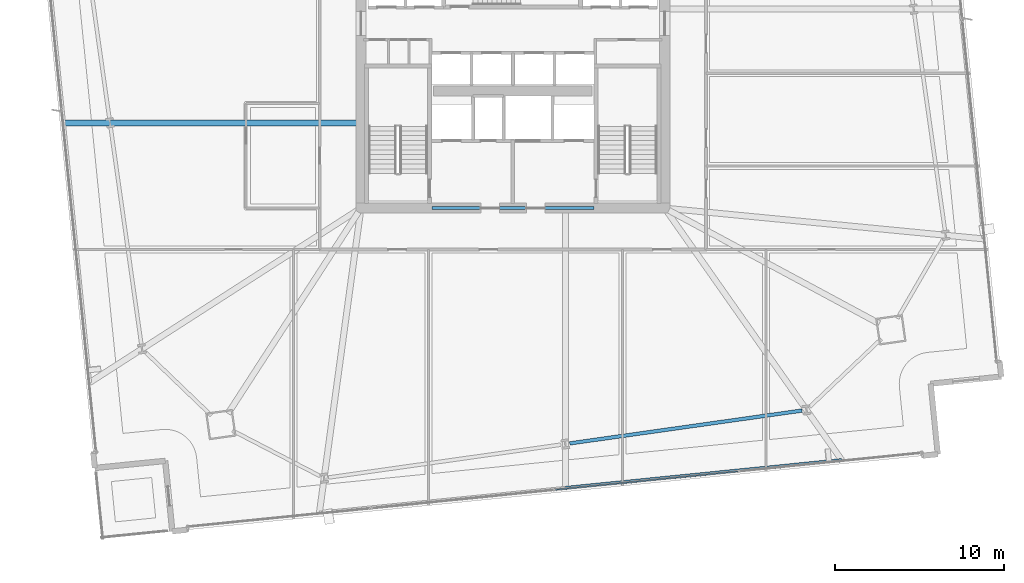
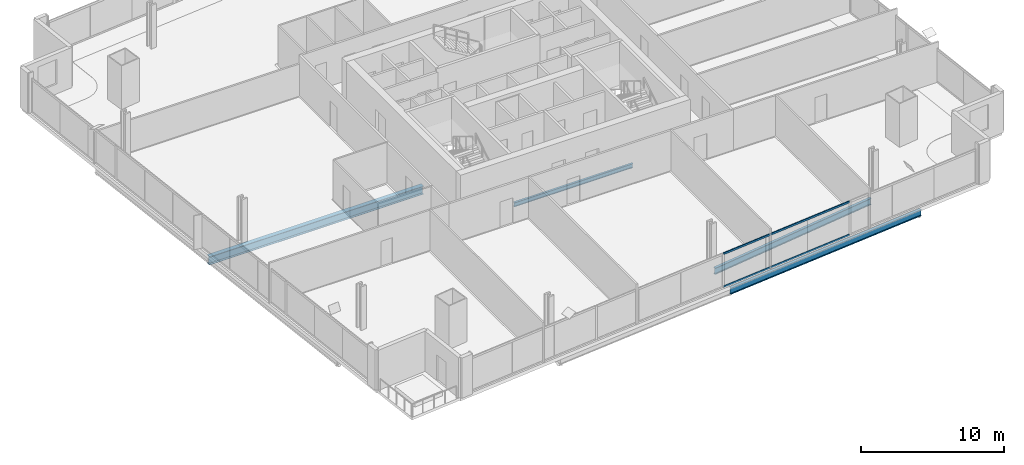
# One storey, part 8 of 33: 4 beams, 2 members, 1 element without a shape of its own.
"""IFC4 building model written with IfcOpenShell, lengths in metres."""

from ifc_helpers import new_model, si_unit, direction, frame, origin, origin_2d, place, context, subcontext, project, spatial, hollow_rectangle, i_section, extrude, material, material_profile, profile_set, type_object, element, aggregate, save


model = new_model("IFC4")

# Units and contexts
model_context = context("Model", 3, precision=1e-05, world=origin(), true_north=direction((0.0, 1.0)))
body_context = subcontext(model_context, "Body", "Model", "MODEL_VIEW")
ifc_project = project(units=[si_unit("LENGTHUNIT", "METRE"), si_unit("AREAUNIT", "SQUARE_METRE"), si_unit("VOLUMEUNIT", "CUBIC_METRE"), si_unit("PLANEANGLEUNIT", "RADIAN"), si_unit("MASSUNIT", "GRAM", prefix="KILO")], contexts=[model_context])

# Site, building, storey
site_placement = place(None, origin())
site = spatial("IfcSite", under=ifc_project, at=site_placement, CompositionType="ELEMENT")
building_placement = place(site_placement, origin())
building = spatial("IfcBuilding", under=site, at=building_placement, Name="Haldenkirk Collegiate Tower", CompositionType="ELEMENT")
storey_placement = place(building_placement, frame((0.0, 0.0, 47.699951171875)))
storey = spatial("IfcBuildingStorey", under=building, at=storey_placement, Name="L10", CompositionType="ELEMENT", Elevation=47.699951171875)

# Beams
ifc_material_1 = material(Name="Steel ASTM A992 Grade 50", Category="steel")
ifc_material_profile_1 = material_profile(ifc_material_1, i_section(OverallWidth=0.35498046875, OverallDepth=0.696044921875, WebThickness=0.015380859375, FlangeThickness=0.02490234375, at=origin_2d()), Name="W27X146")
ifc_profile_set_1 = profile_set([ifc_material_profile_1], Name="Steel ASTM A992 Grade 50")
beam_type_1 = type_object("IfcBeamType", Name="BM-GIRDER-W27X146", PredefinedType="BEAM", material=ifc_profile_set_1)
beam_1_placement = place(storey_placement, frame((9.38134765625, 23.052978515625, -0.657958984375), z_axis=(1.0, 0.0, 0.0), x_axis=(0.0, 1.0, 0.0)))
element("IfcBeam", 1, at=beam_1_placement, inside=storey, type_object=beam_type_1, Name="L10 primary floor girder 15", PredefinedType="BEAM", context=body_context, shape_type="SweptSolid", body=[
    extrude(i_section(OverallWidth=0.35498046875, OverallDepth=0.696044921875, WebThickness=0.015380859375, FlangeThickness=0.02490234375, at=origin_2d()), origin(), (0.0, 0.0, 1.0), 17.338623046875),
])
ifc_material_profile_2 = material_profile(ifc_material_1, i_section(OverallWidth=0.1708984375, OverallDepth=0.35595703125, WebThickness=0.007080078125, FlangeThickness=0.01171875, at=origin_2d()), Name="W14X34")
ifc_profile_set_2 = profile_set([ifc_material_profile_2], Name="Steel ASTM A992 Grade 50")
beam_type_2 = type_object("IfcBeamType", Name="BM-LINTEL-W14X34", PredefinedType="LINTEL", material=ifc_profile_set_2)
beam_2_placement = place(storey_placement, frame((31.199951171875, 18.0, -0.488037109375), z_axis=(1.0, 0.0, 0.0), x_axis=(0.0, 1.0, 0.0)))
element("IfcBeam", 2, at=beam_2_placement, inside=storey, type_object=beam_type_2, Name="L10 south core coupling lintel", PredefinedType="LINTEL", context=body_context, shape_type="SweptSolid", body=[
    extrude(i_section(OverallWidth=0.1708984375, OverallDepth=0.35595703125, WebThickness=0.007080078125, FlangeThickness=0.01171875, at=origin_2d()), origin(), (0.0, 0.0, 1.0), 9.60009765625),
])
ifc_material_profile_3 = material_profile(ifc_material_1, i_section(OverallWidth=0.2119140625, OverallDepth=0.5439453125, WebThickness=0.01318359375, FlangeThickness=0.021240234375, at=origin_2d()), Name="W21X83")
ifc_profile_set_3 = profile_set([ifc_material_profile_3], Name="Steel ASTM A992 Grade 50")
beam_type_3 = type_object("IfcBeamType", Name="BM-SPANDREL-W21X83", PredefinedType="SPANDREL", material=ifc_profile_set_3)
beam_3_placement = place(storey_placement, frame((39.37060546875, 4.055908203125, -0.58203125), z_axis=(0.990146197746, 0.14003752029, 0.0), x_axis=(-0.14003752029, 0.990146197746, 0.0)))
element("IfcBeam", 3, at=beam_3_placement, inside=storey, type_object=beam_type_3, Name="L10 perimeter spandrel beam 03", PredefinedType="SPANDREL", context=body_context, shape_type="SweptSolid", body=[
    extrude(i_section(OverallWidth=0.2119140625, OverallDepth=0.5439453125, WebThickness=0.01318359375, FlangeThickness=0.021240234375, at=origin_2d()), origin(), (0.0, 0.0, 1.0), 13.906982421875),
])
beam_4_placement = place(storey_placement, frame((39.10888671875, 1.40771484375, -0.58203125), z_axis=(0.994967830995, 0.100194886525, 0.0), x_axis=(-0.100194886525, 0.994967830995, 0.0)))
element("IfcBeam", 4, at=beam_4_placement, inside=storey, type_object=beam_type_3, Name="L10 outer facade edge beam 1B", PredefinedType="SPANDREL", context=body_context, shape_type="SweptSolid", body=[
    extrude(i_section(OverallWidth=0.2119140625, OverallDepth=0.5439453125, WebThickness=0.01318359375, FlangeThickness=0.021240234375, at=origin_2d()), origin(), (0.0, 0.0, 1.0), 16.471923828125),
])

# Curtain wall, members
ifc_material_2 = material(Name="Anodised architectural bronze aluminium", Category="aluminium")
curtain_wall_type = type_object("IfcCurtainWallType", Name="CW-SYS2-CONCAVE", PredefinedType="USERDEFINED", material=ifc_material_2)
curtain_wall_placement = place(storey_placement, origin())
curtain_wall = element("IfcCurtainWall", 5, at=curtain_wall_placement, inside=storey, type_object=curtain_wall_type, Name="L10 South concave recessed bronze-anodised curtain wall", ObjectType="UNITISED CURTAIN WALL", PredefinedType="USERDEFINED")
ifc_material_profile_4 = material_profile(ifc_material_2, hollow_rectangle(XDim=0.074951171875, YDim=0.159912109375, WallThickness=0.0048828125, at=origin_2d()), Name="CW-TRN-02")
ifc_profile_set_4 = profile_set([ifc_material_profile_4], Name="Anodised architectural bronze aluminium")
member_type = type_object("IfcMemberType", Name="CW-TRN-02", PredefinedType="USERDEFINED", material=ifc_profile_set_4)
member_1_placement = place(storey_placement, frame((49.34423828125, 2.398193359375, 0.03759765625), z_axis=(-0.994968046796, -0.100192743521, 0.0), x_axis=(0.100192743521, -0.994968046796, 0.0)))
member_1 = element("IfcMember", 6, at=member_1_placement, type_object=member_type, Name="CW-02 transom 2.1", ObjectType="TRANSOM", PredefinedType="USERDEFINED", context=body_context, shape_type="SweptSolid", body=[
    extrude(hollow_rectangle(XDim=0.074951171875, YDim=0.159912109375, WallThickness=0.0048828125, at=origin_2d()), origin(), (0.0, 0.0, 1.0), 10.875),
])
member_2_placement = place(storey_placement, frame((49.34423828125, 2.398193359375, 2.853515625), z_axis=(-0.994968046796, -0.100192743521, 0.0), x_axis=(0.100192743521, -0.994968046796, 0.0)))
member_2 = element("IfcMember", 7, at=member_2_placement, type_object=member_type, Name="CW-02 transom 2.2", ObjectType="TRANSOM", PredefinedType="USERDEFINED", context=body_context, shape_type="SweptSolid", body=[
    extrude(hollow_rectangle(XDim=0.074951171875, YDim=0.159912109375, WallThickness=0.0048828125, at=origin_2d()), origin(), (0.0, 0.0, 1.0), 10.875),
])
aggregate(curtain_wall, [member_1, member_2])

save(model, "model.ifc")
